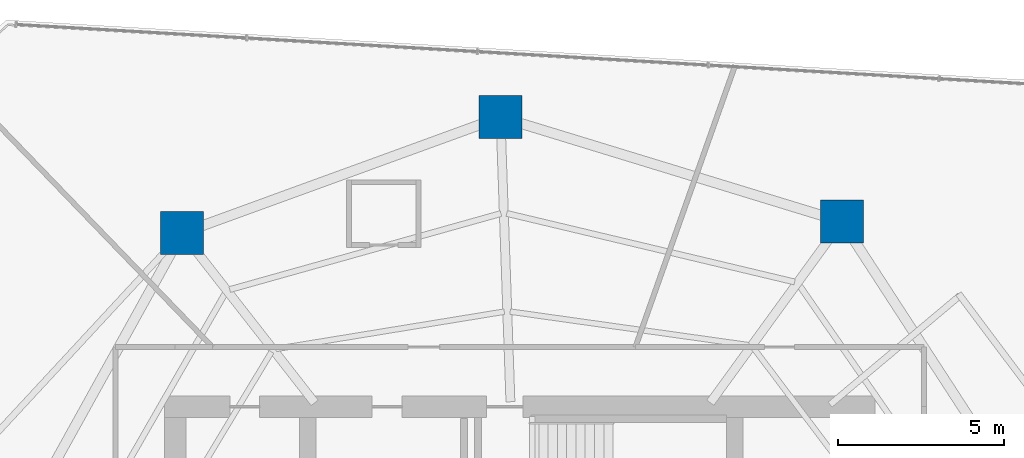
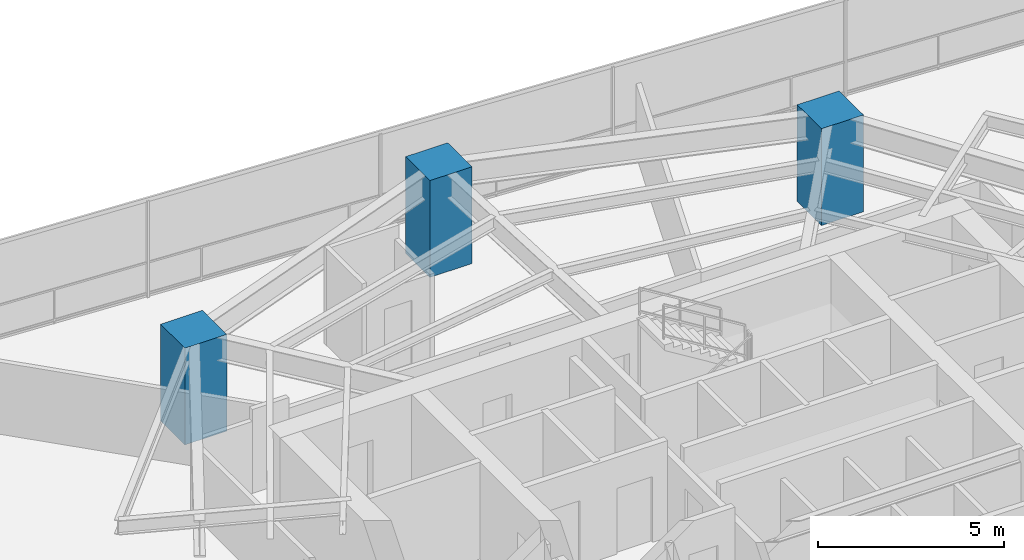
# One storey, part 2 of 28: 3 columns.
"""IFC4 building model written with IfcOpenShell, lengths in metres."""

from ifc_helpers import new_model, si_unit, direction, frame, origin, origin_2d, place, context, subcontext, project, spatial, rectangle, extrude, material, material_profile, profile_set, type_object, element, save


model = new_model("IFC4")

# Units and contexts
model_context = context("Model", 3, precision=1e-05, world=origin(), true_north=direction((0.0, 1.0)))
body_context = subcontext(model_context, "Body", "Model", "MODEL_VIEW")
ifc_project = project(units=[si_unit("LENGTHUNIT", "METRE"), si_unit("AREAUNIT", "SQUARE_METRE"), si_unit("VOLUMEUNIT", "CUBIC_METRE"), si_unit("PLANEANGLEUNIT", "RADIAN"), si_unit("MASSUNIT", "GRAM", prefix="KILO")], contexts=[model_context])

# Site, building, storey
site_placement = place(None, origin())
site = spatial("IfcSite", under=ifc_project, at=site_placement, CompositionType="ELEMENT")
building_placement = place(site_placement, origin())
building = spatial("IfcBuilding", under=site, at=building_placement, Name="Qarnah Convention Tower", CompositionType="ELEMENT")
storey_placement = place(building_placement, frame((0.0, 0.0, 54.60009765625)))
storey = spatial("IfcBuildingStorey", under=building, at=storey_placement, Name="L13", CompositionType="ELEMENT", Elevation=54.60009765625)

# Columns
ifc_material = material(Name="Concrete C60/75", Category="concrete")
ifc_material_profile = material_profile(ifc_material, rectangle(XDim=1.300048828125, YDim=1.300048828125, at=origin_2d()), Name="RC-COL-1300X1300")
ifc_profile_set = profile_set([ifc_material_profile], Name="Concrete C60/75")
column_type = type_object("IfcColumnType", Name="COL-Z1-1300", PredefinedType="COLUMN", material=ifc_profile_set)
for number, where, z_axis, x_axis, name in (
    (1, (46.927978515625, 39.7890625, 0.0), (0.0, 0.0, 1.0), (1.0, 0.0, 0.0), "L13 plumb column PC-Z1-02"),
    (2, (36.6220703125, 42.93994140625, 0.0), (0.0, 0.0, 1.0), (1.0, 0.0, 0.0), "L13 plumb column PC-Z1-03"),
    (3, (27.010986328125, 39.44189453125, 0.0), (0.0, 0.0, 1.0), (1.0, 0.0, 0.0), "L13 plumb column PC-Z1-04"),
):
    element("IfcColumn", number, at=place(storey_placement, frame(where, z_axis=z_axis, x_axis=x_axis)), inside=storey, type_object=column_type, Name=name, PredefinedType="COLUMN", context=body_context, shape_type="SweptSolid", body=[
        extrude(rectangle(XDim=1.300048828125, YDim=1.300048828125, at=origin_2d()), origin(), (0.0, 0.0, 1.0), 3.169921875),
    ])

save(model, "model.ifc")
